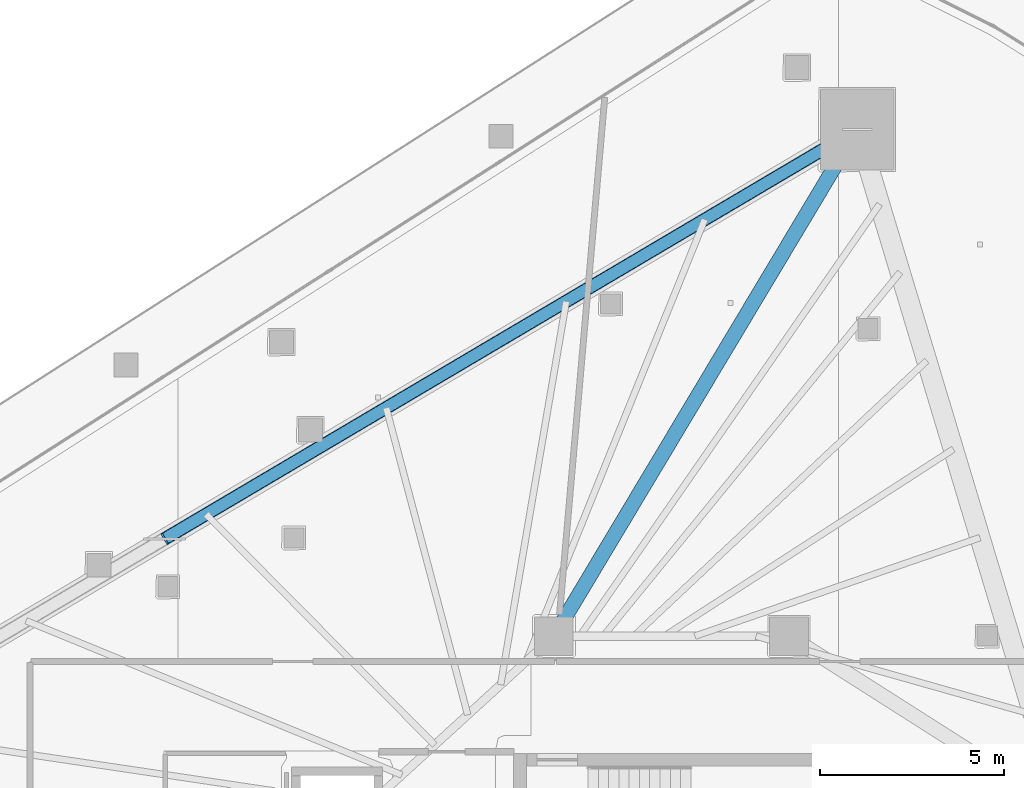
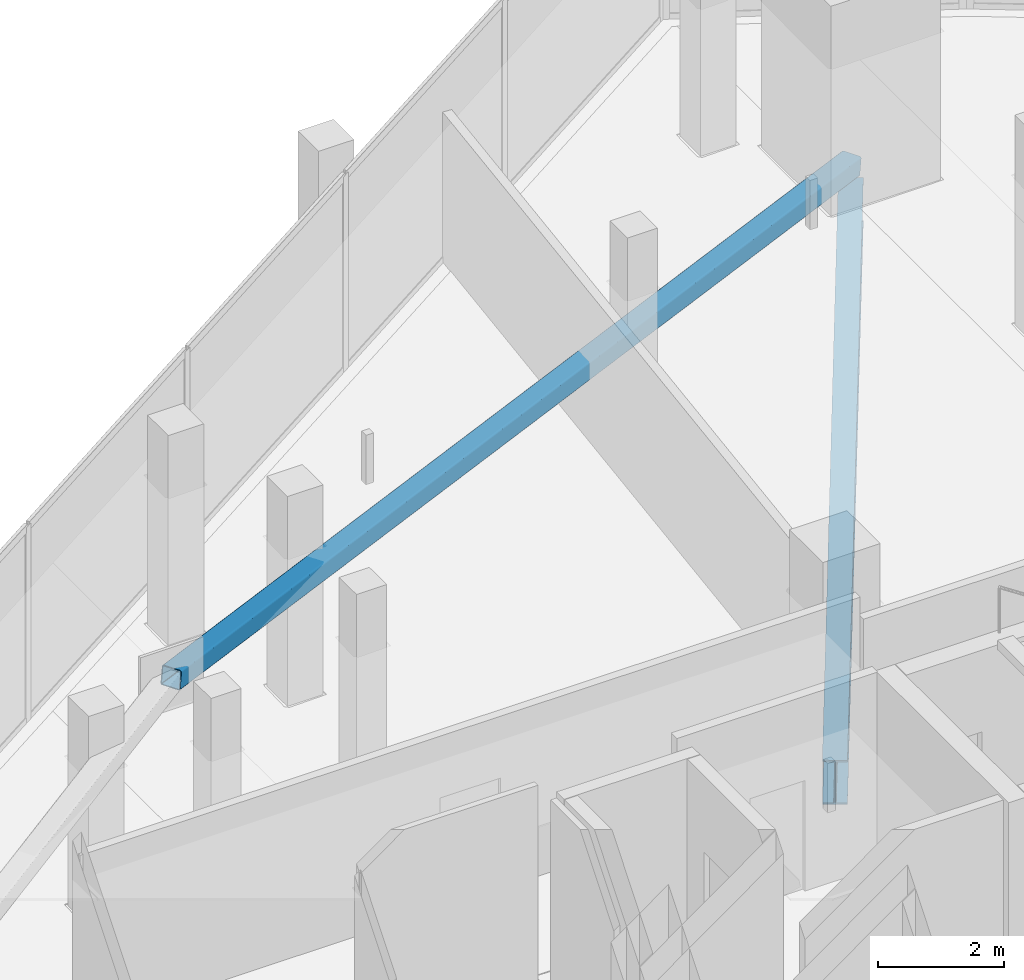
# One storey, part 21 of 40: 1 beam, 1 member.
"""IFC4 building model written with IfcOpenShell, lengths in metres."""

from ifc_helpers import new_model, si_unit, direction, frame, origin, origin_2d, place, context, subcontext, project, spatial, hollow_rectangle, i_section, extrude, material, material_profile, profile_set, type_object, element, save


model = new_model("IFC4")

# Units and contexts
model_context = context("Model", 3, precision=1e-05, world=origin(), true_north=direction((0.0, 1.0)))
body_context = subcontext(model_context, "Body", "Model", "MODEL_VIEW")
ifc_project = project(units=[si_unit("LENGTHUNIT", "METRE"), si_unit("AREAUNIT", "SQUARE_METRE"), si_unit("VOLUMEUNIT", "CUBIC_METRE"), si_unit("PLANEANGLEUNIT", "RADIAN"), si_unit("MASSUNIT", "GRAM", prefix="KILO")], contexts=[model_context])

# Site, building, storey
site_placement = place(None, origin())
site = spatial("IfcSite", under=ifc_project, at=site_placement, CompositionType="ELEMENT")
building_placement = place(site_placement, origin())
building = spatial("IfcBuilding", under=site, at=building_placement, Name="Qorvath Tower", CompositionType="ELEMENT")
storey_placement = place(building_placement, frame((0.0, 0.0, 138.14990234375)))
storey = spatial("IfcBuildingStorey", under=building, at=storey_placement, Name="L31", CompositionType="ELEMENT", Elevation=138.14990234375)

# Beam
ifc_material_1 = material(Name="Steel ASTM A992 Grade 50", Category="steel")
ifc_material_profile_1 = material_profile(ifc_material_1, i_section(OverallWidth=0.39892578125, OverallDepth=0.85498046875, WebThickness=0.018310546875, FlangeThickness=0.029296875, FilletRadius=0.02001953125, at=origin_2d()), Name="W33x201")
ifc_profile_set_1 = profile_set([ifc_material_profile_1], Name="Steel ASTM A992 Grade 50")
beam_type = type_object("IfcBeamType", Name="BM-FG2", PredefinedType="BEAM", material=ifc_profile_set_1)
beam_placement = place(storey_placement, frame((-23.60009765625, 11.449951171875, -0.697509765625), z_axis=(0.513497213955, 0.85809126045, 0.0), x_axis=(-0.85809126045, 0.513497213955, 0.0)))
element("IfcBeam", 1, at=beam_placement, inside=storey, type_object=beam_type, Name="Radial Floor Girder CC1-MC6 L31", PredefinedType="BEAM", context=body_context, shape_type="SweptSolid", body=[
    extrude(i_section(OverallWidth=0.39892578125, OverallDepth=0.85498046875, WebThickness=0.018310546875, FlangeThickness=0.029296875, FilletRadius=0.02001953125, at=origin_2d()), origin(), (0.0, 0.0, 1.0), 16.07763671875),
])

# Member
ifc_material_2 = material(Name="Steel ASTM A500 Grade C", Category="steel")
ifc_material_profile_2 = material_profile(ifc_material_2, hollow_rectangle(XDim=0.355712890625, YDim=0.355712890625, WallThickness=0.015869140625, InnerFilletRadius=0.015869140625, OuterFilletRadius=0.03173828125, at=origin_2d()), Name="HSS 356x356x16")
ifc_profile_set_2 = profile_set([ifc_material_profile_2], Name="Steel ASTM A500 Grade C")
member_type = type_object("IfcMemberType", Name="MEM-MB2", PredefinedType="BRACE", material=ifc_profile_set_2)
member_placement = place(storey_placement, frame((-15.34423828125, 25.24609375, 0.0), z_axis=(-0.850410115142, -0.502856465521, 0.154719136333), x_axis=(0.508985415689, -0.860775142889, 0.0)))
element("IfcMember", 2, at=member_placement, inside=storey, type_object=member_type, Name="Perimeter Chevron Brace L31-1A", PredefinedType="BRACE", context=body_context, shape_type="SweptSolid", body=[
    extrude(hollow_rectangle(XDim=0.355712890625, YDim=0.355712890625, WallThickness=0.015869140625, InnerFilletRadius=0.015869140625, OuterFilletRadius=0.03173828125, at=origin_2d()), origin(), (0.0, 0.0, 1.0), 22.168701171875),
])

save(model, "model.ifc")
